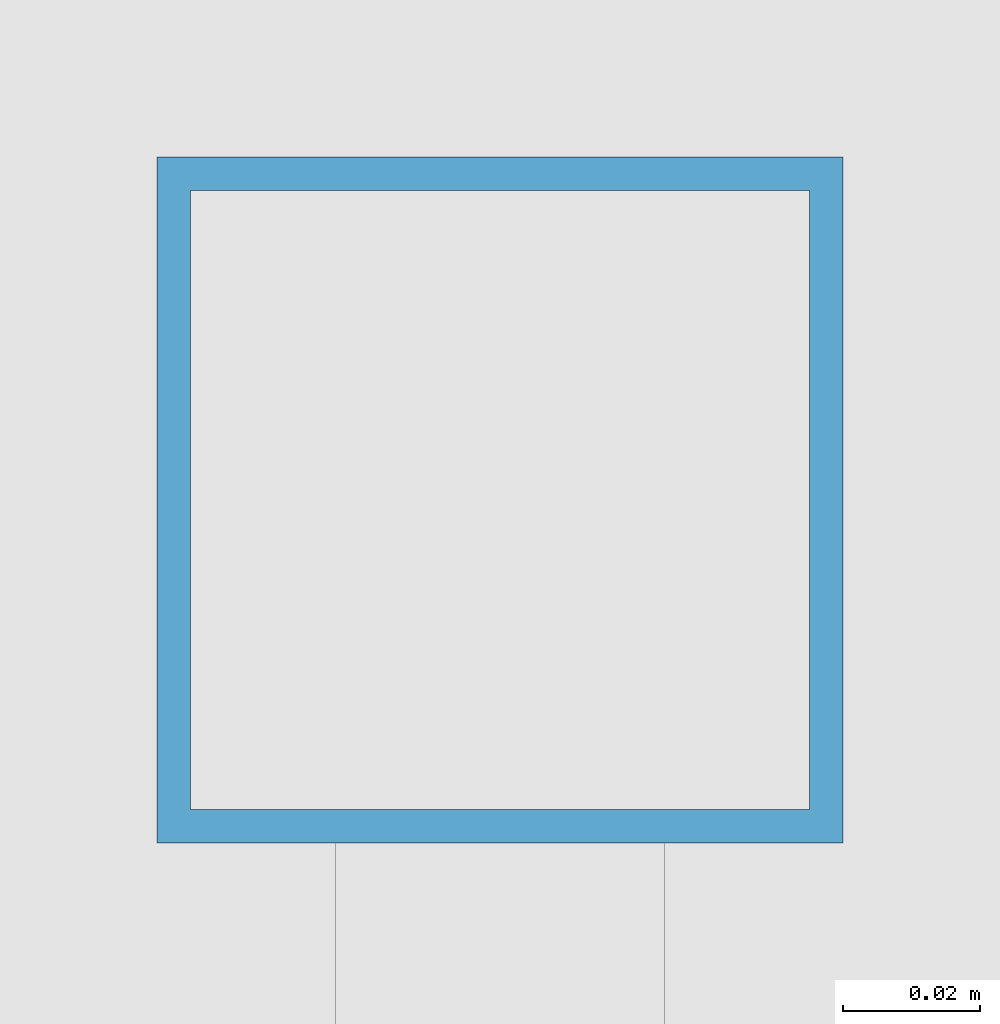
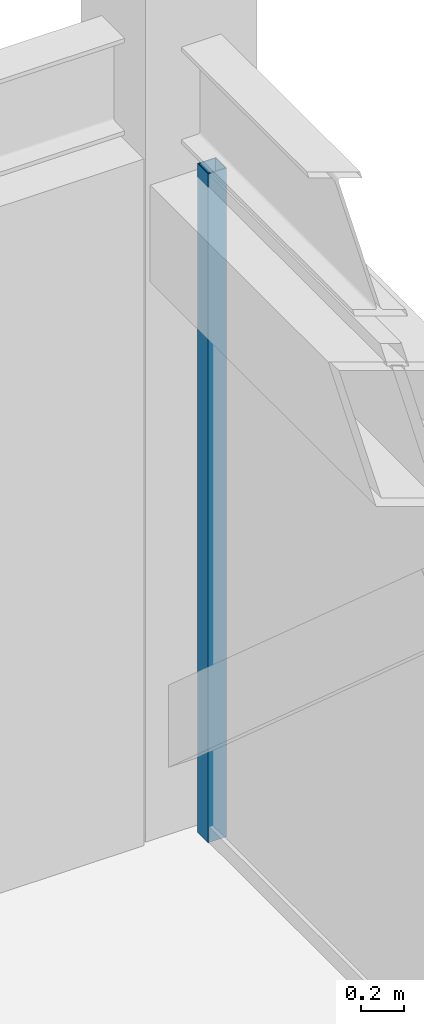
# One storey, part 20 of 32: 1 member, 1 element without a shape of its own.
"""IFC4 building model written with IfcOpenShell, lengths in metres."""

import ifcopenshell
import ifcopenshell.guid

model = None  # the IFC model being written
_history = None  # IfcOwnerHistory: only IFC2X3 demands one
_inside = {}  # id of a spatial element -> (the spatial element, [elements in it])
_under = {}  # id of a project, library or spatial element -> (it, [spatial elements below it])
_declared = {}  # id of a project -> (the project, [libraries it declares])
_typed = {}  # id of a type object -> (the type object, [elements of that type])
_made_of = {}  # id of a material, layer set ... -> (it, [elements and type objects made of it])


def new_model(schema):
    """Start an empty IFC model of exactly this schema.

    Asked for "IFC4X3", IfcOpenShell would pick the latest addendum, in which some entities
    have other attributes; the version numbers below select the first issue.
    IFC2X3 requires an IfcOwnerHistory on every rooted entity: one is made here for all.
    """
    global model, _history
    if schema == "IFC4X3":
        model = ifcopenshell.file(schema_version=(4, 3, 0, 0))
    else:
        model = ifcopenshell.file(schema=schema)
    _inside.clear()
    _under.clear()
    _declared.clear()
    _typed.clear()
    _made_of.clear()
    _history = None
    if model.schema == "IFC2X3":
        org = make("IfcOrganization", Name="unknown")
        user = make(
            "IfcPersonAndOrganization",
            ThePerson=make("IfcPerson", FamilyName="unknown"),
            TheOrganization=org,
        )
        app = make(
            "IfcApplication",
            ApplicationDeveloper=org,
            Version="unknown",
            ApplicationFullName="unknown",
            ApplicationIdentifier="unknown",
        )
        _history = make(
            "IfcOwnerHistory",
            OwningUser=user,
            OwningApplication=app,
            ChangeAction="ADDED",
            CreationDate=0,
        )
    return model


def make(cls, **values):
    """One entity of the class cls with the attributes given. An attribute that is None is left unset."""
    return model.create_entity(
        cls, **{name: value for name, value in values.items() if value is not None}
    )


def rooted(cls, **values):
    """An entity with a GlobalId (a new one), such as an element, a storey or a relation."""
    return make(cls, GlobalId=ifcopenshell.guid.new(), OwnerHistory=_history, **values)


def si_unit(unit_type, name, prefix=None):
    """IfcSIUnit, for example si_unit("LENGTHUNIT", "METRE", prefix="MILLI")."""
    return make("IfcSIUnit", UnitType=unit_type, Prefix=prefix, Name=name)


def assignment(units):
    """IfcUnitAssignment: the units of a project."""
    return None if units is None else make("IfcUnitAssignment", Units=units)


def point(xyz):
    """IfcCartesianPoint."""
    return None if xyz is None else make("IfcCartesianPoint", Coordinates=xyz)


def direction(xyz):
    """IfcDirection."""
    return None if xyz is None else make("IfcDirection", DirectionRatios=xyz)


def frame(location, z_axis=None, x_axis=None):
    """IfcAxis2Placement3D, a coordinate frame: its origin and axes. An axis left out is left unset."""
    return make(
        "IfcAxis2Placement3D",
        Location=point(location),
        Axis=direction(z_axis),
        RefDirection=direction(x_axis),
    )


def frame_2d(location, x_axis=None):
    """IfcAxis2Placement2D, a coordinate frame in the plane: its origin and x axis."""
    return make(
        "IfcAxis2Placement2D", Location=point(location), RefDirection=direction(x_axis)
    )


def origin():
    """The frame at (0, 0, 0) with its axes left unset."""
    return frame((0.0, 0.0, 0.0))


def origin_2d():
    """The frame at (0, 0) in the plane with its x axis left unset."""
    return frame_2d((0.0, 0.0))


def place(relative_to, where):
    """IfcLocalPlacement: puts the frame where relative to a parent placement (None: the world)."""
    return make(
        "IfcLocalPlacement", PlacementRelTo=relative_to, RelativePlacement=where
    )


def context(
    kind, dimensions, precision=None, world=None, true_north=None, identifier=None
):
    """IfcGeometricRepresentationContext, for example the 3D "Model" context."""
    return make(
        "IfcGeometricRepresentationContext",
        ContextIdentifier=identifier,
        ContextType=kind,
        CoordinateSpaceDimension=dimensions,
        Precision=precision,
        WorldCoordinateSystem=world,
        TrueNorth=true_north,
    )


def subcontext(parent, identifier, kind, view, scale=None):
    """IfcGeometricRepresentationSubContext, for example "Body" below "Model"."""
    return make(
        "IfcGeometricRepresentationSubContext",
        ContextIdentifier=identifier,
        ContextType=kind,
        ParentContext=parent,
        TargetScale=scale,
        TargetView=view,
    )


def project(units=None, contexts=None):
    """IfcProject with its units and contexts."""
    return rooted(
        "IfcProject",
        Name="project",
        RepresentationContexts=contexts,
        UnitsInContext=assignment(units),
    )


def spatial(cls, under=None, at=None, **own):
    """A site, building, storey or space (cls), placed at a placement, below another one or the project."""
    s = rooted(cls, ObjectPlacement=at, **own)
    if under is not None:
        _under.setdefault(under.id(), (under, []))[1].append(s)
    return s


def profile(cls, at=None, kind="AREA", **sizes):
    """A parametric profile (cls). Its sizes go by their IFC names, for example OverallWidth=200.0."""
    return make(cls, ProfileType=kind, Position=at, **sizes)


def hollow_rectangle(**sizes):
    """IfcRectangleHollowProfileDef."""
    return profile("IfcRectangleHollowProfileDef", **sizes)


def extrude(swept, where, along, depth):
    """IfcExtrudedAreaSolid: the profile swept, set in the frame where, extruded along a direction by depth."""
    return make(
        "IfcExtrudedAreaSolid",
        SweptArea=swept,
        Position=where,
        ExtrudedDirection=direction(along),
        Depth=depth,
    )


def shape(context_of_items, identifier, shape_type, items):
    """IfcShapeRepresentation: the items that make up one representation, for example the "Body"."""
    return make(
        "IfcShapeRepresentation",
        ContextOfItems=context_of_items,
        RepresentationIdentifier=identifier,
        RepresentationType=shape_type,
        Items=items,
    )


def source(mapping_origin, context_of_items, identifier, shape_type, items):
    """IfcRepresentationMap: a shape defined once, which mapped items show again and again."""
    return make(
        "IfcRepresentationMap",
        MappingOrigin=mapping_origin,
        MappedRepresentation=shape(context_of_items, identifier, shape_type, items),
    )


def transform(
    local_origin,
    x_axis=None,
    y_axis=None,
    z_axis=None,
    scale=None,
    scale2=None,
    scale3=None,
    uniform=True,
):
    """IfcCartesianTransformationOperator3D, or its non-uniform kind. x_axis, y_axis, z_axis: its Axis1, 2, 3."""
    if uniform:
        return make(
            "IfcCartesianTransformationOperator3D",
            Axis1=direction(x_axis),
            Axis2=direction(y_axis),
            LocalOrigin=point(local_origin),
            Scale=scale,
            Axis3=direction(z_axis),
        )
    return make(
        "IfcCartesianTransformationOperator3DnonUniform",
        Axis1=direction(x_axis),
        Axis2=direction(y_axis),
        LocalOrigin=point(local_origin),
        Scale=scale,
        Axis3=direction(z_axis),
        Scale2=scale2,
        Scale3=scale3,
    )


def mapped(mapping_source, mapping_target):
    """IfcMappedItem: shows the shape of a source again, moved by a transform."""
    return make(
        "IfcMappedItem", MappingSource=mapping_source, MappingTarget=mapping_target
    )


def material(Name=None, Category=None):
    """IfcMaterial."""
    return make("IfcMaterial", Name=Name, Category=Category)


def material_profile(
    of_material, cross_section, Name=None, Category=None, Priority=None
):
    """IfcMaterialProfile: a cross section and its material."""
    return make(
        "IfcMaterialProfile",
        Name=Name,
        Material=of_material,
        Profile=cross_section,
        Priority=Priority,
        Category=Category,
    )


def profile_set(profiles, Name=None, composite=None):
    """IfcMaterialProfileSet."""
    return make(
        "IfcMaterialProfileSet",
        Name=Name,
        MaterialProfiles=profiles,
        CompositeProfile=composite,
    )


def made_of(thing, what):
    """Note that an element or type object is made of a material, layer set ...; save() writes the relation."""
    if what is not None:
        _made_of.setdefault(what.id(), (what, []))[1].append(thing)
    return thing


def type_object(cls, material=None, **own):
    """A type object (cls), such as IfcWallType, which elements share."""
    return made_of(rooted(cls, **own), material)


def element(
    cls,
    number,
    at=None,
    inside=None,
    cuts=None,
    type_object=None,
    material=None,
    context=None,
    identifier="Body",
    shape_type=None,
    held_by="IfcProductDefinitionShape",
    body=None,
    shapes=None,
    **own,
):
    """One element of the class cls, such as IfcWall. Its Tag is "e" and its number.

    at: its placement. inside: the storey or other place that contains it. cuts: it is an
    opening in that element (IfcRelVoidsElement). A single representation is given by context,
    identifier, shape_type and body (its items); several are given by shapes. held_by: the class
    of the entity that holds the representations. save() writes the other relations.
    """
    e = rooted(cls, Tag="e%d" % number, ObjectPlacement=at, **own)
    if body is not None:
        shapes = [shape(context, identifier, shape_type, body)]
    if shapes is not None:
        e.Representation = make(held_by, Representations=shapes)
    if inside is not None:
        _inside.setdefault(inside.id(), (inside, []))[1].append(e)
    if cuts is not None:
        rooted(
            "IfcRelVoidsElement", RelatingBuildingElement=cuts, RelatedOpeningElement=e
        )
    if type_object is not None:
        _typed.setdefault(type_object.id(), (type_object, []))[1].append(e)
    return made_of(e, material)


def aggregate(whole, parts):
    """IfcRelAggregates: a whole, such as a stair, and the parts it consists of."""
    return rooted("IfcRelAggregates", RelatingObject=whole, RelatedObjects=parts)


def save(model, path):
    """Write the relations noted so far, then the file.

    IfcRelAggregates (storeys below a building ...), IfcRelContainedInSpatialStructure (elements
    in a storey), IfcRelDefinesByType, IfcRelAssociatesMaterial and IfcRelDeclares: one each for
    every whole, place, type object, material and project.
    """
    for whole, parts in _under.values():
        aggregate(whole, parts)
    for where, things in _inside.values():
        rooted(
            "IfcRelContainedInSpatialStructure",
            RelatedElements=things,
            RelatingStructure=where,
        )
    for kind, things in _typed.values():
        rooted("IfcRelDefinesByType", RelatedObjects=things, RelatingType=kind)
    for what, things in _made_of.values():
        rooted("IfcRelAssociatesMaterial", RelatedObjects=things, RelatingMaterial=what)
    for by, libraries in _declared.values():
        rooted("IfcRelDeclares", RelatingContext=by, RelatedDefinitions=libraries)
    model.write(path)


model = new_model("IFC4")

# Units and contexts
model_context = context("Model", 3, precision=1e-05, world=origin(), true_north=direction((0.0, 1.0)))
body_context = subcontext(model_context, "Body", "Model", "MODEL_VIEW")
ifc_project = project(units=[si_unit("LENGTHUNIT", "METRE"), si_unit("AREAUNIT", "SQUARE_METRE"), si_unit("VOLUMEUNIT", "CUBIC_METRE"), si_unit("PLANEANGLEUNIT", "RADIAN"), si_unit("MASSUNIT", "GRAM", prefix="KILO")], contexts=[model_context])

# Site, building, storey
site_placement = place(None, origin())
site = spatial("IfcSite", under=ifc_project, at=site_placement, CompositionType="ELEMENT")
building_placement = place(site_placement, origin())
building = spatial("IfcBuilding", under=site, at=building_placement, Name="Khorayat Bourse Tower", CompositionType="ELEMENT")
storey_placement = place(building_placement, frame((0.0, 0.0, 375.5)))
storey = spatial("IfcBuildingStorey", under=building, at=storey_placement, Name="L89", CompositionType="ELEMENT", Elevation=375.5)

# Curtain wall, member
ifc_material = material(Name="Aluminium EN AW-6063 T6", Category="aluminium")
curtain_wall_type = type_object("IfcCurtainWallType", Name="CW-SYS-07", PredefinedType="NOTDEFINED", material=ifc_material)
curtain_wall_placement = place(storey_placement, origin())
curtain_wall = element("IfcCurtainWall", 1, at=curtain_wall_placement, inside=storey, type_object=curtain_wall_type, Name="L89 Curtain Wall CW-L89-E1", PredefinedType="NOTDEFINED")
ifc_material_profile = material_profile(ifc_material, hollow_rectangle(XDim=0.10009765625, YDim=0.10009765625, WallThickness=0.0048828125, at=origin_2d()), Name="ALU 100x100x5")
ifc_profile_set = profile_set([ifc_material_profile], Name="Aluminium EN AW-6063 T6")
member_type = type_object("IfcMemberType", Name="CWM-LANTERN-100", PredefinedType="MULLION", material=ifc_profile_set)
shared_shape = source(origin(), body_context, "Body", "SweptSolid", [
    extrude(hollow_rectangle(XDim=0.10009765625, YDim=0.10009765625, WallThickness=0.0048828125, at=origin_2d()), origin(), (0.0, 0.0, 1.0), 3.800048828125),
])
member_placement = place(storey_placement, frame((24.0, 17.60009765625, 0.0), z_axis=(0.0, 0.0, 1.0), x_axis=(-1.0, 0.0, 0.0)))
member = element("IfcMember", 2, at=member_placement, type_object=member_type, Name="CW-L89-E1 Vertical Mullion 3", PredefinedType="MULLION", context=body_context, shape_type="MappedRepresentation", body=[
    mapped(shared_shape, transform((0.0, 0.0, 0.0), scale=1.0)),
])
aggregate(curtain_wall, [member])

save(model, "model.ifc")
